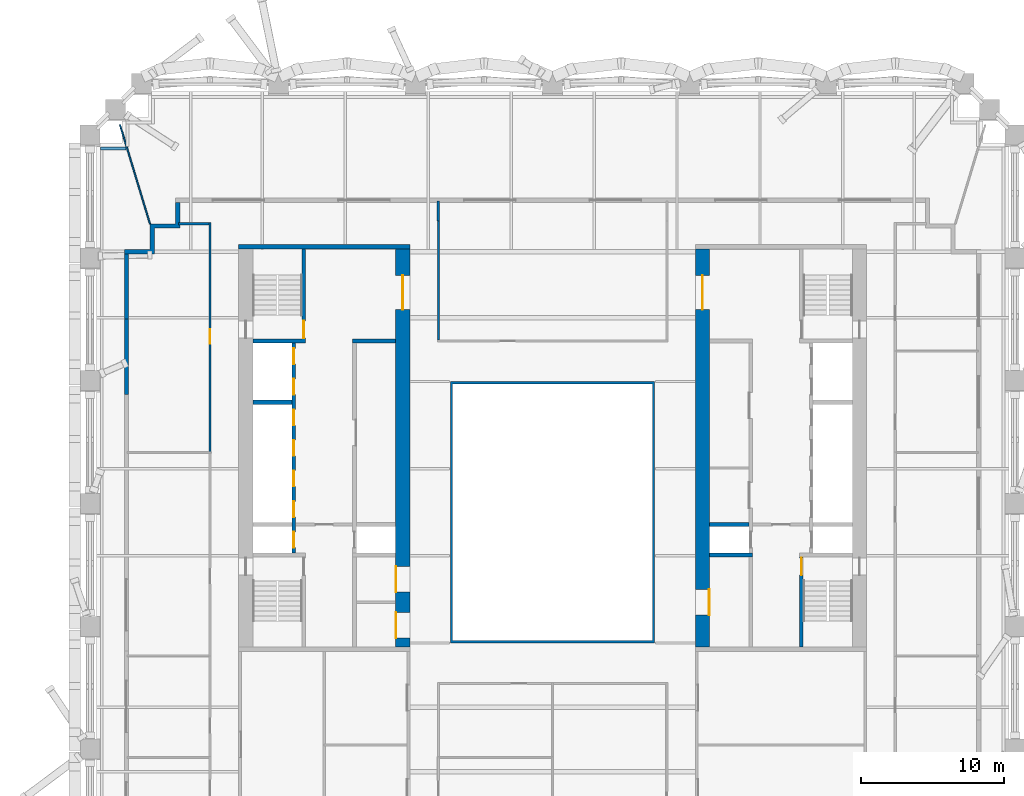
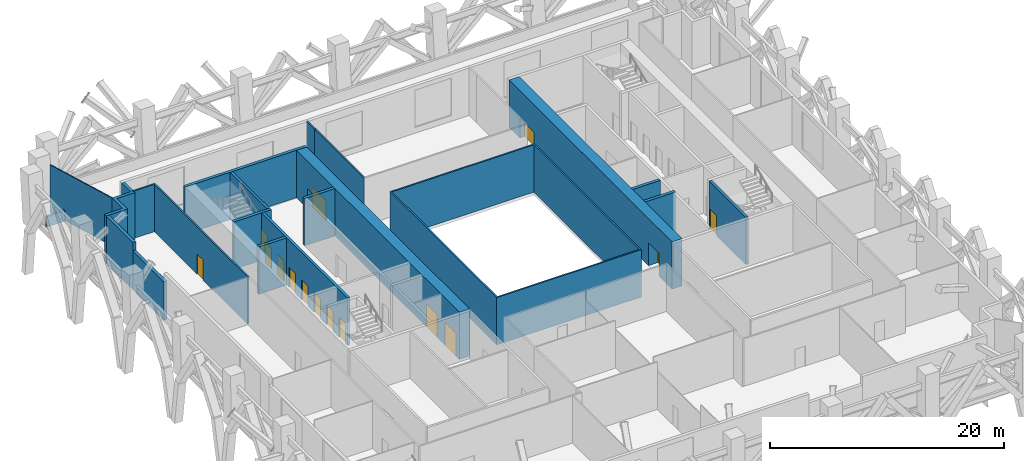
# One storey, part 7 of 19: 21 walls, 15 doors, 15 openings.
"""IFC4 building model written with IfcOpenShell, lengths in metres."""

from ifc_helpers import new_model, si_unit, direction, frame, frame_2d, origin, place, context, subcontext, project, spatial, polyline, rectangle, outline, extrude, material, layer, layer_set, type_object, element, fill, save


model = new_model("IFC4")

# Units and contexts
model_context = context("Model", 3, precision=1e-05, world=origin(), true_north=direction((0.0, 1.0)))
body_context = subcontext(model_context, "Body", "Model", "MODEL_VIEW")
ifc_project = project(units=[si_unit("LENGTHUNIT", "METRE"), si_unit("AREAUNIT", "SQUARE_METRE"), si_unit("VOLUMEUNIT", "CUBIC_METRE"), si_unit("PLANEANGLEUNIT", "RADIAN"), si_unit("MASSUNIT", "GRAM", prefix="KILO")], contexts=[model_context])

# Site, building, storey
site_placement = place(None, origin())
site = spatial("IfcSite", under=ifc_project, at=site_placement, CompositionType="ELEMENT")
building_placement = place(site_placement, origin())
building = spatial("IfcBuilding", under=site, at=building_placement, Name="Ogive Exchange Tower", CompositionType="ELEMENT")
storey_placement = place(building_placement, frame((0.0, 0.0, 94.199951171875)))
storey = spatial("IfcBuildingStorey", under=building, at=storey_placement, Name="L20", CompositionType="ELEMENT", Elevation=94.199951171875)

# Wall
ifc_material_1 = material(Name="Gypsum board partition")
ifc_layer_1 = layer(ifc_material_1, 0.300048828125)
ifc_layer_set_1 = layer_set([ifc_layer_1], Name="Core room partition 300 gypsum")
wall_type_1 = type_object("IfcWallType", Name="Core room partition 300 gypsum", PredefinedType="PARTITIONING", material=ifc_layer_set_1)
wall_1_placement = place(storey_placement, frame((-14.0, 19.0, 0.0), z_axis=(0.0, 0.0, 1.0), x_axis=(1.0, 0.0, 0.0)))
element("IfcWall", 1, at=wall_1_placement, inside=storey, type_object=wall_type_1, Name="W row B room end wall 7", PredefinedType="PARTITIONING", context=body_context, shape_type="SweptSolid", body=[
    extrude(rectangle(XDim=3.0, YDim=0.300048828125, at=frame_2d((1.5, 0.0))), origin(), (0.0, 0.0, 1.0), 4.949951171875),
])

# Wall, opening, door
ifc_material_2 = material(Name="Fire partition EI 60 150")
ifc_layer_2 = layer(ifc_material_2, 0.14990234375)
ifc_layer_set_2 = layer_set([ifc_layer_2], Name="Fire partition EI 60 150")
wall_type_2 = type_object("IfcWallType", Name="Fire partition EI 60 150", PredefinedType="PARTITIONING", material=ifc_layer_set_2)
wall_2_placement = place(storey_placement, frame((-24.0, 11.219970703125, 0.0), z_axis=(0.0, 0.0, 1.0), x_axis=(0.0, 1.0, 0.0)))
wall_2 = element("IfcWall", 2, at=wall_2_placement, inside=storey, type_object=wall_type_2, Name="L20-PWL-009", PredefinedType="PARTITIONING", context=body_context, shape_type="SweptSolid", body=[
    extrude(rectangle(XDim=16.06494140625, YDim=0.14990234375, at=frame_2d((8.032470703125, 0.0))), origin(), (0.0, 0.0, 1.0), 4.949951171875),
])
opening_1_placement = place(wall_2_placement, frame((7.590087890625, 0.0, 0.0)))
opening_1 = element("IfcOpeningElement", 3, at=opening_1_placement, cuts=wall_2, Name="Opening L20-I03", PredefinedType="OPENING", context=body_context, shape_type="SweptSolid", body=[
    extrude(rectangle(XDim=1.0, YDim=2.10009765625, at=frame_2d((0.5, 1.050048828125))), frame((0.0, 0.0849609375, 0.0), z_axis=(0.0, -1.0, 0.0), x_axis=(1.0, 0.0, 0.0)), (0.0, 0.0, 1.0), 0.169921875),
])
ifc_material_3 = material(Name="Fire door FD 30S 1000 x 2100")
door_type_1 = type_object("IfcDoorType", Name="Fire door FD 30S 1000 x 2100", OperationType="NOTDEFINED", PredefinedType="DOOR", material=ifc_material_3)
door_1_placement = place(opening_1_placement, origin())
door_1 = element("IfcDoor", 4, at=door_1_placement, inside=storey, type_object=door_type_1, Name="L20-IDR-003", ObjectType="DT3", OperationType="SINGLE_SWING_RIGHT", OverallHeight=2.10009765625, OverallWidth=1.0, PredefinedType="DOOR", context=body_context, shape_type="SweptSolid", body=[
    extrude(rectangle(XDim=1.0, YDim=2.10009765625, at=frame_2d((0.5, 1.050048828125))), frame((0.0, 0.02490234375, 0.0), z_axis=(0.0, -1.0, 0.0), x_axis=(1.0, 0.0, 0.0)), (0.0, 0.0, 1.0), 0.050048828125),
])
fill(opening_1, door_1)

# Walls
wall_3_placement = place(storey_placement, frame((-24.074951171875, 27.2099609375, 0.0), z_axis=(0.0, 0.0, 1.0), x_axis=(-1.0, 0.0, 0.0)))
element("IfcWall", 5, at=wall_3_placement, inside=storey, type_object=wall_type_2, Name="L20-PWL-010", PredefinedType="PARTITIONING", context=body_context, shape_type="SweptSolid", body=[
    extrude(rectangle(XDim=2.125, YDim=0.14990234375, at=frame_2d((1.0625, 0.0))), origin(), (0.0, 0.0, 1.0), 4.949951171875),
])
wall_4_placement = place(storey_placement, frame((-8.010009765625, 28.800048828125, 0.0), z_axis=(0.0, 0.0, 1.0), x_axis=(0.0, -1.0, 0.0)))
element("IfcWall", 6, at=wall_4_placement, inside=storey, type_object=wall_type_2, Name="L20-PWL-013", PredefinedType="PARTITIONING", context=body_context, shape_type="SweptSolid", body=[
    extrude(rectangle(XDim=1.400146484375, YDim=0.14990234375, at=frame_2d((0.7001953125, 0.0))), origin(), (0.0, 0.0, 1.0), 4.949951171875),
])
wall_5_placement = place(storey_placement, frame((-8.0, 27.39990234375, 0.0), z_axis=(0.0, 0.0, 1.0), x_axis=(0.0, -1.0, 0.0)))
element("IfcWall", 7, at=wall_5_placement, inside=storey, type_object=wall_type_2, Name="L20-PWL-019", PredefinedType="PARTITIONING", context=body_context, shape_type="SweptSolid", body=[
    extrude(rectangle(XDim=8.324951171875, YDim=0.14990234375, at=frame_2d((4.16259765625, 0.0))), origin(), (0.0, 0.0, 1.0), 4.949951171875),
])
ifc_material_4 = material(Name="Fire-resisting glass in steel frame", Category="steel")
ifc_layer_3 = layer(ifc_material_4, 0.14990234375)
ifc_layer_set_3 = layer_set([ifc_layer_3], Name="Fire-rated glazed wall 150")
wall_type_3 = type_object("IfcWallType", Name="Fire-rated glazed wall 150", PredefinedType="STANDARD", material=ifc_layer_set_3)
wall_6_placement = place(storey_placement, origin())
element("IfcWall", 8, at=wall_6_placement, inside=storey, type_object=wall_type_3, Name="Nave enclosure wall", PredefinedType="STANDARD", context=body_context, shape_type="SweptSolid", body=[
    extrude(outline(polyline([(-7.14990234375, -2.14990234375), (7.14990234375, -2.14990234375), (7.14990234375, 16.14990234375), (-7.14990234375, 16.14990234375), (-7.14990234375, -2.14990234375)]), holes=[polyline([(-7.0, -2.0), (-7.0, 16.0), (7.0, 16.0), (7.0, -2.0), (-7.0, -2.0)])]), origin(), (0.0, 0.0, 1.0), 4.949951171875),
])
ifc_material_5 = material(Name="Precast concrete C40/50", Category="concrete")
ifc_layer_4 = layer(ifc_material_5, 0.300048828125)
ifc_layer_set_4 = layer_set([ifc_layer_4], Name="Limestone-faced wall 300")
wall_type_4 = type_object("IfcWallType", Name="Limestone-faced wall 300", PredefinedType="STANDARD", material=ifc_layer_set_4)
wall_7_placement = place(storey_placement, frame((-29.85009765625, 25.10009765625, 0.0), z_axis=(0.0, 0.0, 1.0), x_axis=(0.0, -1.0, 0.0)))
element("IfcWall", 9, at=wall_7_placement, inside=storey, type_object=wall_type_4, Name="External wall W4", PredefinedType="STANDARD", context=body_context, shape_type="SweptSolid", body=[
    extrude(rectangle(XDim=4.547119140625, YDim=0.300048828125, at=frame_2d((2.2734375, 0.0))), origin(), (0.0, 0.0, 1.0), 4.949951171875),
])
wall_8_placement = place(storey_placement, origin())
element("IfcWall", 10, at=wall_8_placement, inside=storey, type_object=wall_type_4, Name="External corner wall C3", PredefinedType="STANDARD", context=body_context, shape_type="SweptSolid", body=[
    extrude(outline(polyline([(-28.199951171875, 25.39990234375), (-28.199951171875, 27.199951171875), (-26.39990234375, 27.199951171875), (-26.39990234375, 28.699951171875), (-26.10009765625, 28.699951171875), (-26.10009765625, 26.89990234375), (-27.89990234375, 26.89990234375), (-27.89990234375, 25.10009765625), (-30.0, 25.10009765625), (-30.0, 25.39990234375), (-28.199951171875, 25.39990234375)])), origin(), (0.0, 0.0, 1.0), 4.949951171875),
])
wall_9_placement = place(storey_placement, frame((-29.85009765625, 20.552978515625, 0.0), z_axis=(0.0, 0.0, 1.0), x_axis=(0.0, -1.0, 0.0)))
element("IfcWall", 11, at=wall_9_placement, inside=storey, type_object=wall_type_4, Name="External wall W4", PredefinedType="STANDARD", context=body_context, shape_type="SweptSolid", body=[
    extrude(rectangle(XDim=5.300537109375, YDim=0.300048828125, at=frame_2d((2.650390625, 0.0))), origin(), (0.0, 0.0, 1.0), 4.050048828125),
])
ifc_material_6 = material(Name="Laminated safety glass in steel frame", Category="steel")
ifc_layer_5 = layer(ifc_material_6, 0.10009765625)
ifc_layer_set_5 = layer_set([ifc_layer_5], Name="Loggia end screen 100")
wall_type_5 = type_object("IfcWallType", Name="Loggia end screen 100", PredefinedType="STANDARD", material=ifc_layer_set_5)
wall_10_placement = place(storey_placement, frame((-28.199951171875, 27.199951171875, -0.050048828125), z_axis=(0.0, 0.0, 1.0), x_axis=(-0.29036881155, 0.956914809834, 0.0)))
element("IfcWall", 12, at=wall_10_placement, inside=storey, type_object=wall_type_5, Name="Loggia end screen C3", PredefinedType="STANDARD", context=body_context, shape_type="SweptSolid", body=[
    extrude(rectangle(XDim=7.255126953125, YDim=0.10009765625, at=frame_2d((3.62744140625, 0.0))), origin(), (0.0, 0.0, 1.0), 5.0),
])
ifc_layer_6 = layer(ifc_material_5, 0.199951171875)
ifc_layer_set_6 = layer_set([ifc_layer_6], Name="Plant deck parapet 200")
wall_type_6 = type_object("IfcWallType", Name="Plant deck parapet 200", PredefinedType="STANDARD", material=ifc_layer_set_6)
wall_11_placement = place(storey_placement, frame((-29.8798828125, 32.489013671875, -0.050048828125), z_axis=(0.0, 0.0, 1.0), x_axis=(-1.0, 0.0, 0.0)))
element("IfcWall", 13, at=wall_11_placement, inside=storey, type_object=wall_type_6, Name="Plant deck parapet 15", PredefinedType="STANDARD", context=body_context, shape_type="SweptSolid", body=[
    extrude(rectangle(XDim=1.800048828125, YDim=0.199951171875, at=frame_2d((0.89990234375, 0.0))), origin(), (0.0, 0.0, 1.0), 1.10009765625),
])

# Wall, openings, doors
ifc_material_7 = material(Name="Concrete C70/85", Category="concrete")
ifc_layer_7 = layer(ifc_material_7, 1.0)
ifc_layer_set_7 = layer_set([ifc_layer_7], Name="RC core wall 1000 C70/85")
wall_type_7 = type_object("IfcWallType", Name="RC core wall 1000 C70/85", PredefinedType="SHEAR", material=ifc_layer_set_7)
wall_12_placement = place(storey_placement, frame((-10.5, -2.449951171875, 0.0), z_axis=(0.0, 0.0, 1.0), x_axis=(0.0, 1.0, 0.0)))
wall_12 = element("IfcWall", 14, at=wall_12_placement, inside=storey, type_object=wall_type_7, Name="W inner wall", PredefinedType="SHEAR", context=body_context, shape_type="SweptSolid", body=[
    extrude(rectangle(XDim=27.89990234375, YDim=1.0, at=frame_2d((13.949951171875, 0.0))), origin(), (0.0, 0.0, 1.0), 4.949951171875),
])
opening_2_placement = place(wall_12_placement, frame((23.64990234375, 0.0, 0.0)))
opening_2 = element("IfcOpeningElement", 15, at=opening_2_placement, cuts=wall_12, Name="Opening L20-C11", PredefinedType="OPENING", context=body_context, shape_type="SweptSolid", body=[
    extrude(rectangle(XDim=2.39990234375, YDim=2.10009765625, at=frame_2d((1.199951171875, 1.050048828125))), frame((0.0, 0.510009765625, 0.0), z_axis=(0.0, -1.0, 0.0), x_axis=(1.0, 0.0, 0.0)), (0.0, 0.0, 1.0), 1.02001953125),
])
opening_3_placement = place(wall_12_placement, frame((0.637451171875, 0.0, 0.0)))
opening_3 = element("IfcOpeningElement", 16, at=opening_3_placement, cuts=wall_12, Name="Opening L20-C16", PredefinedType="OPENING", context=body_context, shape_type="SweptSolid", body=[
    extrude(rectangle(XDim=1.800048828125, YDim=2.39990234375, at=frame_2d((0.89990234375, 1.199951171875))), frame((0.0, 0.510009765625, 0.0), z_axis=(0.0, -1.0, 0.0), x_axis=(1.0, 0.0, 0.0)), (0.0, 0.0, 1.0), 1.02001953125),
])
opening_4_placement = place(wall_12_placement, frame((3.862548828125, 0.0, 0.0)))
opening_4 = element("IfcOpeningElement", 17, at=opening_4_placement, cuts=wall_12, Name="Opening L20-C17", PredefinedType="OPENING", context=body_context, shape_type="SweptSolid", body=[
    extrude(rectangle(XDim=1.800048828125, YDim=2.39990234375, at=frame_2d((0.89990234375, 1.199951171875))), frame((0.0, 0.510009765625, 0.0), z_axis=(0.0, -1.0, 0.0), x_axis=(1.0, 0.0, 0.0)), (0.0, 0.0, 1.0), 1.02001953125),
])
ifc_material_8 = material(Name="Glazed steel fire door", Category="steel")
door_type_2 = type_object("IfcDoorType", Name="Lift lobby double door FD60 2400 x 2100", OperationType="DOUBLE_DOOR_SINGLE_SWING", PredefinedType="DOOR", material=ifc_material_8)
door_2_placement = place(opening_2_placement, origin())
door_2 = element("IfcDoor", 18, at=door_2_placement, inside=storey, type_object=door_type_2, Name="Lift lobby double door", ObjectType="CD4", OperationType="DOUBLE_DOOR_SINGLE_SWING", OverallHeight=2.10009765625, OverallWidth=2.39990234375, PredefinedType="DOOR", context=body_context, shape_type="SweptSolid", body=[
    extrude(rectangle(XDim=2.39990234375, YDim=2.10009765625, at=frame_2d((1.199951171875, 1.050048828125))), frame((0.0, 0.02490234375, 0.0), z_axis=(0.0, -1.0, 0.0), x_axis=(1.0, 0.0, 0.0)), (0.0, 0.0, 1.0), 0.050048828125),
])
fill(opening_2, door_2)
ifc_material_9 = material(Name="Steel fire door", Category="steel")
door_type_3 = type_object("IfcDoorType", Name="Plant room door FD60 1800 x 2400", OperationType="DOUBLE_DOOR_SINGLE_SWING", PredefinedType="DOOR", material=ifc_material_9)
door_3_placement = place(opening_3_placement, origin())
door_3 = element("IfcDoor", 19, at=door_3_placement, inside=storey, type_object=door_type_3, Name="Plant room door", ObjectType="CD1", OperationType="DOUBLE_DOOR_SINGLE_SWING", OverallHeight=2.39990234375, OverallWidth=1.800048828125, PredefinedType="DOOR", context=body_context, shape_type="SweptSolid", body=[
    extrude(rectangle(XDim=1.800048828125, YDim=2.39990234375, at=frame_2d((0.89990234375, 1.199951171875))), frame((0.0, 0.5, 0.0), z_axis=(0.0, -1.0, 0.0), x_axis=(1.0, 0.0, 0.0)), (0.0, 0.0, 1.0), 0.050048828125),
])
fill(opening_3, door_3)
door_4_placement = place(opening_4_placement, origin())
door_4 = element("IfcDoor", 20, at=door_4_placement, inside=storey, type_object=door_type_3, Name="Plant room door", ObjectType="CD1", OperationType="DOUBLE_DOOR_SINGLE_SWING", OverallHeight=2.39990234375, OverallWidth=1.800048828125, PredefinedType="DOOR", context=body_context, shape_type="SweptSolid", body=[
    extrude(rectangle(XDim=1.800048828125, YDim=2.39990234375, at=frame_2d((0.89990234375, 1.199951171875))), frame((0.0, 0.5, 0.0), z_axis=(0.0, -1.0, 0.0), x_axis=(1.0, 0.0, 0.0)), (0.0, 0.0, 1.0), 0.050048828125),
])
fill(opening_4, door_4)

wall_13_placement = place(storey_placement, frame((10.5, -2.449951171875, 0.0), z_axis=(0.0, 0.0, 1.0), x_axis=(0.0, 1.0, 0.0)))
wall_13 = element("IfcWall", 21, at=wall_13_placement, inside=storey, type_object=wall_type_7, Name="E inner wall", PredefinedType="SHEAR", context=body_context, shape_type="SweptSolid", body=[
    extrude(rectangle(XDim=27.89990234375, YDim=1.0, at=frame_2d((13.949951171875, 0.0))), origin(), (0.0, 0.0, 1.0), 4.949951171875),
])
opening_5_placement = place(wall_13_placement, frame((23.64990234375, 0.0, 0.0)))
opening_5 = element("IfcOpeningElement", 22, at=opening_5_placement, cuts=wall_13, Name="Opening L20-C32", PredefinedType="OPENING", context=body_context, shape_type="SweptSolid", body=[
    extrude(rectangle(XDim=2.39990234375, YDim=2.10009765625, at=frame_2d((1.199951171875, 1.050048828125))), frame((0.0, 0.510009765625, 0.0), z_axis=(0.0, -1.0, 0.0), x_axis=(1.0, 0.0, 0.0)), (0.0, 0.0, 1.0), 1.02001953125),
])
opening_6_placement = place(wall_13_placement, frame((2.25, 0.0, 0.0)))
opening_6 = element("IfcOpeningElement", 23, at=opening_6_placement, cuts=wall_13, Name="Opening L20-C37", PredefinedType="OPENING", context=body_context, shape_type="SweptSolid", body=[
    extrude(rectangle(XDim=1.800048828125, YDim=2.39990234375, at=frame_2d((0.89990234375, 1.199951171875))), frame((0.0, 0.510009765625, 0.0), z_axis=(0.0, -1.0, 0.0), x_axis=(1.0, 0.0, 0.0)), (0.0, 0.0, 1.0), 1.02001953125),
])
door_5_placement = place(opening_5_placement, frame((2.39990234375, 0.0, 0.0), z_axis=(0.0, 0.0, 1.0), x_axis=(-1.0, 0.0, 0.0)))
door_5 = element("IfcDoor", 24, at=door_5_placement, inside=storey, type_object=door_type_2, Name="Lift lobby double door", ObjectType="CD4", OperationType="DOUBLE_DOOR_SINGLE_SWING", OverallHeight=2.10009765625, OverallWidth=2.39990234375, PredefinedType="DOOR", context=body_context, shape_type="SweptSolid", body=[
    extrude(rectangle(XDim=2.39990234375, YDim=2.10009765625, at=frame_2d((1.199951171875, 1.050048828125))), frame((0.0, 0.02490234375, 0.0), z_axis=(0.0, -1.0, 0.0), x_axis=(1.0, 0.0, 0.0)), (0.0, 0.0, 1.0), 0.050048828125),
])
fill(opening_5, door_5)
door_6_placement = place(opening_6_placement, frame((1.800048828125, -0.9501953125, 0.0), z_axis=(0.0, 0.0, 1.0), x_axis=(-1.0, 0.0, 0.0)))
door_6 = element("IfcDoor", 25, at=door_6_placement, inside=storey, type_object=door_type_3, Name="Plant room door", ObjectType="CD1", OperationType="DOUBLE_DOOR_SINGLE_SWING", OverallHeight=2.39990234375, OverallWidth=1.800048828125, PredefinedType="DOOR", context=body_context, shape_type="SweptSolid", body=[
    extrude(rectangle(XDim=1.800048828125, YDim=2.39990234375, at=frame_2d((0.89990234375, 1.199951171875))), frame((0.0, -0.4501953125, 0.0), z_axis=(0.0, -1.0, 0.0), x_axis=(1.0, 0.0, 0.0)), (0.0, 0.0, 1.0), 0.050048828125),
])
fill(opening_6, door_6)

# Wall, opening, door
ifc_layer_8 = layer(ifc_material_7, 0.25)
ifc_layer_set_8 = layer_set([ifc_layer_8], Name="RC core wall 250 C70/85")
wall_type_8 = type_object("IfcWallType", Name="RC core wall 250 C70/85", PredefinedType="SHEAR", material=ifc_layer_set_8)
wall_14_placement = place(storey_placement, frame((-17.425048828125, 19.14990234375, 0.0), z_axis=(0.0, 0.0, 1.0), x_axis=(0.0, 1.0, 0.0)))
wall_14 = element("IfcWall", 26, at=wall_14_placement, inside=storey, type_object=wall_type_8, Name="W stair N front wall", PredefinedType="SHEAR", context=body_context, shape_type="SweptSolid", body=[
    extrude(rectangle(XDim=6.300048828125, YDim=0.25, at=frame_2d((3.14990234375, 0.0))), origin(), (0.0, 0.0, 1.0), 4.949951171875),
])
opening_7_placement = place(wall_14_placement, frame((0.050048828125, 0.0, 0.0)))
opening_7 = element("IfcOpeningElement", 27, at=opening_7_placement, cuts=wall_14, Name="Opening L20-C14", PredefinedType="OPENING", context=body_context, shape_type="SweptSolid", body=[
    extrude(rectangle(XDim=1.199951171875, YDim=2.10009765625, at=frame_2d((0.60009765625, 1.050048828125))), frame((0.0, 0.135009765625, 0.0), z_axis=(0.0, -1.0, 0.0), x_axis=(1.0, 0.0, 0.0)), (0.0, 0.0, 1.0), 0.27001953125),
])
door_type_4 = type_object("IfcDoorType", Name="Stair door FD90 1200 x 2100", OperationType="NOTDEFINED", PredefinedType="DOOR", material=ifc_material_9)
door_7_placement = place(opening_7_placement, origin())
door_7 = element("IfcDoor", 28, at=door_7_placement, inside=storey, type_object=door_type_4, Name="Stair door", ObjectType="CD5", OperationType="SINGLE_SWING_RIGHT", OverallHeight=2.10009765625, OverallWidth=1.199951171875, PredefinedType="DOOR", context=body_context, shape_type="SweptSolid", body=[
    extrude(rectangle(XDim=1.199951171875, YDim=2.10009765625, at=frame_2d((0.60009765625, 1.050048828125))), frame((0.0, 0.02490234375, 0.0), z_axis=(0.0, -1.0, 0.0), x_axis=(1.0, 0.0, 0.0)), (0.0, 0.0, 1.0), 0.050048828125),
])
fill(opening_7, door_7)

# Wall, openings, doors
wall_15_placement = place(storey_placement, frame((-18.125, 4.14990234375, 0.0), z_axis=(0.0, 0.0, 1.0), x_axis=(0.0, 1.0, 0.0)))
wall_15 = element("IfcWall", 29, at=wall_15_placement, inside=storey, type_object=wall_type_8, Name="W row A front wall", PredefinedType="SHEAR", context=body_context, shape_type="SweptSolid", body=[
    extrude(rectangle(XDim=14.7001953125, YDim=0.25, at=frame_2d((7.35009765625, 0.0))), origin(), (0.0, 0.0, 1.0), 4.949951171875),
])
opening_8_placement = place(wall_15_placement, frame((0.371337890625, 0.0, 0.0)))
opening_8 = element("IfcOpeningElement", 30, at=opening_8_placement, cuts=wall_15, Name="Opening L20-C01", PredefinedType="OPENING", context=body_context, shape_type="SweptSolid", body=[
    extrude(rectangle(XDim=1.10009765625, YDim=2.10009765625, at=frame_2d((0.550048828125, 1.050048828125))), frame((0.0, 0.135009765625, 0.0), z_axis=(0.0, -1.0, 0.0), x_axis=(1.0, 0.0, 0.0)), (0.0, 0.0, 1.0), 0.27001953125),
])
opening_9_placement = place(wall_15_placement, frame((2.514404296875, 0.0, 0.0)))
opening_9 = element("IfcOpeningElement", 31, at=opening_9_placement, cuts=wall_15, Name="Opening L20-C02", PredefinedType="OPENING", context=body_context, shape_type="SweptSolid", body=[
    extrude(rectangle(XDim=1.10009765625, YDim=2.10009765625, at=frame_2d((0.550048828125, 1.050048828125))), frame((0.0, 0.135009765625, 0.0), z_axis=(0.0, -1.0, 0.0), x_axis=(1.0, 0.0, 0.0)), (0.0, 0.0, 1.0), 0.27001953125),
])
opening_10_placement = place(wall_15_placement, frame((4.656982421875, 0.0, 0.0)))
opening_10 = element("IfcOpeningElement", 32, at=opening_10_placement, cuts=wall_15, Name="Opening L20-C03", PredefinedType="OPENING", context=body_context, shape_type="SweptSolid", body=[
    extrude(rectangle(XDim=1.10009765625, YDim=2.10009765625, at=frame_2d((0.550048828125, 1.050048828125))), frame((0.0, 0.135009765625, 0.0), z_axis=(0.0, -1.0, 0.0), x_axis=(1.0, 0.0, 0.0)), (0.0, 0.0, 1.0), 0.27001953125),
])
opening_11_placement = place(wall_15_placement, frame((6.800048828125, 0.0, 0.0)))
opening_11 = element("IfcOpeningElement", 33, at=opening_11_placement, cuts=wall_15, Name="Opening L20-C04", PredefinedType="OPENING", context=body_context, shape_type="SweptSolid", body=[
    extrude(rectangle(XDim=1.10009765625, YDim=2.10009765625, at=frame_2d((0.550048828125, 1.050048828125))), frame((0.0, 0.135009765625, 0.0), z_axis=(0.0, -1.0, 0.0), x_axis=(1.0, 0.0, 0.0)), (0.0, 0.0, 1.0), 0.27001953125),
])
opening_12_placement = place(wall_15_placement, frame((8.94287109375, 0.0, 0.0)))
opening_12 = element("IfcOpeningElement", 34, at=opening_12_placement, cuts=wall_15, Name="Opening L20-C05", PredefinedType="OPENING", context=body_context, shape_type="SweptSolid", body=[
    extrude(rectangle(XDim=1.10009765625, YDim=2.10009765625, at=frame_2d((0.550048828125, 1.050048828125))), frame((0.0, 0.135009765625, 0.0), z_axis=(0.0, -1.0, 0.0), x_axis=(1.0, 0.0, 0.0)), (0.0, 0.0, 1.0), 0.27001953125),
])
opening_13_placement = place(wall_15_placement, frame((11.085693359375, 0.0, 0.0)))
opening_13 = element("IfcOpeningElement", 35, at=opening_13_placement, cuts=wall_15, Name="Opening L20-C06", PredefinedType="OPENING", context=body_context, shape_type="SweptSolid", body=[
    extrude(rectangle(XDim=1.10009765625, YDim=2.10009765625, at=frame_2d((0.550048828125, 1.050048828125))), frame((0.0, 0.135009765625, 0.0), z_axis=(0.0, -1.0, 0.0), x_axis=(1.0, 0.0, 0.0)), (0.0, 0.0, 1.0), 0.27001953125),
])
opening_14_placement = place(wall_15_placement, frame((13.228515625, 0.0, 0.0)))
opening_14 = element("IfcOpeningElement", 36, at=opening_14_placement, cuts=wall_15, Name="Opening L20-C07", PredefinedType="OPENING", context=body_context, shape_type="SweptSolid", body=[
    extrude(rectangle(XDim=1.10009765625, YDim=2.10009765625, at=frame_2d((0.550048828125, 1.050048828125))), frame((0.0, 0.135009765625, 0.0), z_axis=(0.0, -1.0, 0.0), x_axis=(1.0, 0.0, 0.0)), (0.0, 0.0, 1.0), 0.27001953125),
])
ifc_material_10 = material(Name="Stainless steel", Category="steel")
door_type_5 = type_object("IfcDoorType", Name="Lift landing door FD90 1100 x 2100", OperationType="SLIDING_TO_LEFT", PredefinedType="DOOR", material=ifc_material_10)
door_8_placement = place(opening_8_placement, origin())
door_8 = element("IfcDoor", 37, at=door_8_placement, inside=storey, type_object=door_type_5, Name="Lift landing door FF1", ObjectType="LD", OperationType="SLIDING_TO_LEFT", OverallHeight=2.10009765625, OverallWidth=1.10009765625, PredefinedType="DOOR", context=body_context, shape_type="SweptSolid", body=[
    extrude(rectangle(XDim=1.10009765625, YDim=2.10009765625, at=frame_2d((0.550048828125, 1.050048828125))), frame((0.0, 0.02490234375, 0.0), z_axis=(0.0, -1.0, 0.0), x_axis=(1.0, 0.0, 0.0)), (0.0, 0.0, 1.0), 0.050048828125),
])
fill(opening_8, door_8)
door_9_placement = place(opening_9_placement, origin())
door_9 = element("IfcDoor", 38, at=door_9_placement, inside=storey, type_object=door_type_5, Name="Lift landing door W-L1", ObjectType="LD", OperationType="SLIDING_TO_LEFT", OverallHeight=2.10009765625, OverallWidth=1.10009765625, PredefinedType="DOOR", context=body_context, shape_type="SweptSolid", body=[
    extrude(rectangle(XDim=1.10009765625, YDim=2.10009765625, at=frame_2d((0.550048828125, 1.050048828125))), frame((0.0, 0.02490234375, 0.0), z_axis=(0.0, -1.0, 0.0), x_axis=(1.0, 0.0, 0.0)), (0.0, 0.0, 1.0), 0.050048828125),
])
fill(opening_9, door_9)
door_10_placement = place(opening_10_placement, origin())
door_10 = element("IfcDoor", 39, at=door_10_placement, inside=storey, type_object=door_type_5, Name="Lift landing door W-L2", ObjectType="LD", OperationType="SLIDING_TO_LEFT", OverallHeight=2.10009765625, OverallWidth=1.10009765625, PredefinedType="DOOR", context=body_context, shape_type="SweptSolid", body=[
    extrude(rectangle(XDim=1.10009765625, YDim=2.10009765625, at=frame_2d((0.550048828125, 1.050048828125))), frame((0.0, 0.02490234375, 0.0), z_axis=(0.0, -1.0, 0.0), x_axis=(1.0, 0.0, 0.0)), (0.0, 0.0, 1.0), 0.050048828125),
])
fill(opening_10, door_10)
door_11_placement = place(opening_11_placement, origin())
door_11 = element("IfcDoor", 40, at=door_11_placement, inside=storey, type_object=door_type_5, Name="Lift landing door W-L3", ObjectType="LD", OperationType="SLIDING_TO_LEFT", OverallHeight=2.10009765625, OverallWidth=1.10009765625, PredefinedType="DOOR", context=body_context, shape_type="SweptSolid", body=[
    extrude(rectangle(XDim=1.10009765625, YDim=2.10009765625, at=frame_2d((0.550048828125, 1.050048828125))), frame((0.0, 0.02490234375, 0.0), z_axis=(0.0, -1.0, 0.0), x_axis=(1.0, 0.0, 0.0)), (0.0, 0.0, 1.0), 0.050048828125),
])
fill(opening_11, door_11)
door_12_placement = place(opening_12_placement, origin())
door_12 = element("IfcDoor", 41, at=door_12_placement, inside=storey, type_object=door_type_5, Name="Lift landing door W-L4", ObjectType="LD", OperationType="SLIDING_TO_LEFT", OverallHeight=2.10009765625, OverallWidth=1.10009765625, PredefinedType="DOOR", context=body_context, shape_type="SweptSolid", body=[
    extrude(rectangle(XDim=1.10009765625, YDim=2.10009765625, at=frame_2d((0.550048828125, 1.050048828125))), frame((0.0, 0.02490234375, 0.0), z_axis=(0.0, -1.0, 0.0), x_axis=(1.0, 0.0, 0.0)), (0.0, 0.0, 1.0), 0.050048828125),
])
fill(opening_12, door_12)
door_13_placement = place(opening_13_placement, origin())
door_13 = element("IfcDoor", 42, at=door_13_placement, inside=storey, type_object=door_type_5, Name="Lift landing door W-SH1", ObjectType="LD", OperationType="SLIDING_TO_LEFT", OverallHeight=2.10009765625, OverallWidth=1.10009765625, PredefinedType="DOOR", context=body_context, shape_type="SweptSolid", body=[
    extrude(rectangle(XDim=1.10009765625, YDim=2.10009765625, at=frame_2d((0.550048828125, 1.050048828125))), frame((0.0, 0.02490234375, 0.0), z_axis=(0.0, -1.0, 0.0), x_axis=(1.0, 0.0, 0.0)), (0.0, 0.0, 1.0), 0.050048828125),
])
fill(opening_13, door_13)
door_14_placement = place(opening_14_placement, origin())
door_14 = element("IfcDoor", 43, at=door_14_placement, inside=storey, type_object=door_type_5, Name="Lift landing door W-SH2", ObjectType="LD", OperationType="SLIDING_TO_LEFT", OverallHeight=2.10009765625, OverallWidth=1.10009765625, PredefinedType="DOOR", context=body_context, shape_type="SweptSolid", body=[
    extrude(rectangle(XDim=1.10009765625, YDim=2.10009765625, at=frame_2d((0.550048828125, 1.050048828125))), frame((0.0, 0.02490234375, 0.0), z_axis=(0.0, -1.0, 0.0), x_axis=(1.0, 0.0, 0.0)), (0.0, 0.0, 1.0), 0.050048828125),
])
fill(opening_14, door_14)

# Wall, opening, door
wall_16_placement = place(storey_placement, frame((17.425048828125, -2.449951171875, 0.0), z_axis=(0.0, 0.0, 1.0), x_axis=(0.0, 1.0, 0.0)))
wall_16 = element("IfcWall", 44, at=wall_16_placement, inside=storey, type_object=wall_type_8, Name="E stair S front wall", PredefinedType="SHEAR", context=body_context, shape_type="SweptSolid", body=[
    extrude(rectangle(XDim=6.300048828125, YDim=0.25, at=frame_2d((3.14990234375, 0.0))), origin(), (0.0, 0.0, 1.0), 4.949951171875),
])
opening_15_placement = place(wall_16_placement, frame((5.050048828125, 0.0, 0.0)))
opening_15 = element("IfcOpeningElement", 45, at=opening_15_placement, cuts=wall_16, Name="Opening L20-C33", PredefinedType="OPENING", context=body_context, shape_type="SweptSolid", body=[
    extrude(rectangle(XDim=1.199951171875, YDim=2.10009765625, at=frame_2d((0.60009765625, 1.050048828125))), frame((0.0, 0.135009765625, 0.0), z_axis=(0.0, -1.0, 0.0), x_axis=(1.0, 0.0, 0.0)), (0.0, 0.0, 1.0), 0.27001953125),
])
door_15_placement = place(opening_15_placement, frame((1.199951171875, 0.0, 0.0), z_axis=(0.0, 0.0, 1.0), x_axis=(-1.0, 0.0, 0.0)))
door_15 = element("IfcDoor", 46, at=door_15_placement, inside=storey, type_object=door_type_4, Name="Stair door", ObjectType="CD5", OperationType="SINGLE_SWING_RIGHT", OverallHeight=2.10009765625, OverallWidth=1.199951171875, PredefinedType="DOOR", context=body_context, shape_type="SweptSolid", body=[
    extrude(rectangle(XDim=1.199951171875, YDim=2.10009765625, at=frame_2d((0.60009765625, 1.050048828125))), frame((0.0, 0.02490234375, 0.0), z_axis=(0.0, -1.0, 0.0), x_axis=(1.0, 0.0, 0.0)), (0.0, 0.0, 1.0), 0.050048828125),
])
fill(opening_15, door_15)

# Walls
ifc_layer_9 = layer(ifc_material_7, 0.300048828125)
ifc_layer_set_9 = layer_set([ifc_layer_9], Name="RC core wall 300 C70/85")
wall_type_9 = type_object("IfcWallType", Name="RC core wall 300 C70/85", PredefinedType="SHEAR", material=ifc_layer_set_9)
wall_17_placement = place(storey_placement, frame((-22.0, 25.60009765625, 0.0), z_axis=(0.0, 0.0, 1.0), x_axis=(1.0, 0.0, 0.0)))
element("IfcWall", 47, at=wall_17_placement, inside=storey, type_object=wall_type_9, Name="W north end wall", PredefinedType="SHEAR", context=body_context, shape_type="SweptSolid", body=[
    extrude(rectangle(XDim=12.0, YDim=0.300048828125, at=frame_2d((6.0, 0.0))), origin(), (0.0, 0.0, 1.0), 4.949951171875),
])
wall_18_placement = place(storey_placement, frame((-21.0, 19.0, 0.0), z_axis=(0.0, 0.0, 1.0), x_axis=(1.0, 0.0, 0.0)))
element("IfcWall", 48, at=wall_18_placement, inside=storey, type_object=wall_type_9, Name="W stair N south wall", PredefinedType="SHEAR", context=body_context, shape_type="SweptSolid", body=[
    extrude(rectangle(XDim=3.699951171875, YDim=0.300048828125, at=frame_2d((1.85009765625, 0.0))), origin(), (0.0, 0.0, 1.0), 4.949951171875),
])
wall_19_placement = place(storey_placement, frame((-21.0, 14.71435546875, 0.0), z_axis=(0.0, 0.0, 1.0), x_axis=(1.0, 0.0, 0.0)))
element("IfcWall", 49, at=wall_19_placement, inside=storey, type_object=wall_type_9, Name="W row A divider 5", PredefinedType="SHEAR", context=body_context, shape_type="SweptSolid", body=[
    extrude(rectangle(XDim=2.75, YDim=0.300048828125, at=frame_2d((1.375, 0.0))), origin(), (0.0, 0.0, 1.0), 4.949951171875),
])
wall_20_placement = place(storey_placement, frame((11.0, 4.0, 0.0), z_axis=(0.0, 0.0, 1.0), x_axis=(1.0, 0.0, 0.0)))
element("IfcWall", 50, at=wall_20_placement, inside=storey, type_object=wall_type_9, Name="E row B divider 0", PredefinedType="SHEAR", context=body_context, shape_type="SweptSolid", body=[
    extrude(rectangle(XDim=3.0, YDim=0.300048828125, at=frame_2d((1.5, 0.0))), origin(), (0.0, 0.0, 1.0), 4.949951171875),
])
wall_21_placement = place(storey_placement, frame((11.0, 6.142822265625, 0.0), z_axis=(0.0, 0.0, 1.0), x_axis=(1.0, 0.0, 0.0)))
element("IfcWall", 51, at=wall_21_placement, inside=storey, type_object=wall_type_9, Name="E row B divider 1", PredefinedType="SHEAR", context=body_context, shape_type="SweptSolid", body=[
    extrude(rectangle(XDim=2.75, YDim=0.300048828125, at=frame_2d((1.375, 0.0))), origin(), (0.0, 0.0, 1.0), 4.949951171875),
])

save(model, "model.ifc")
